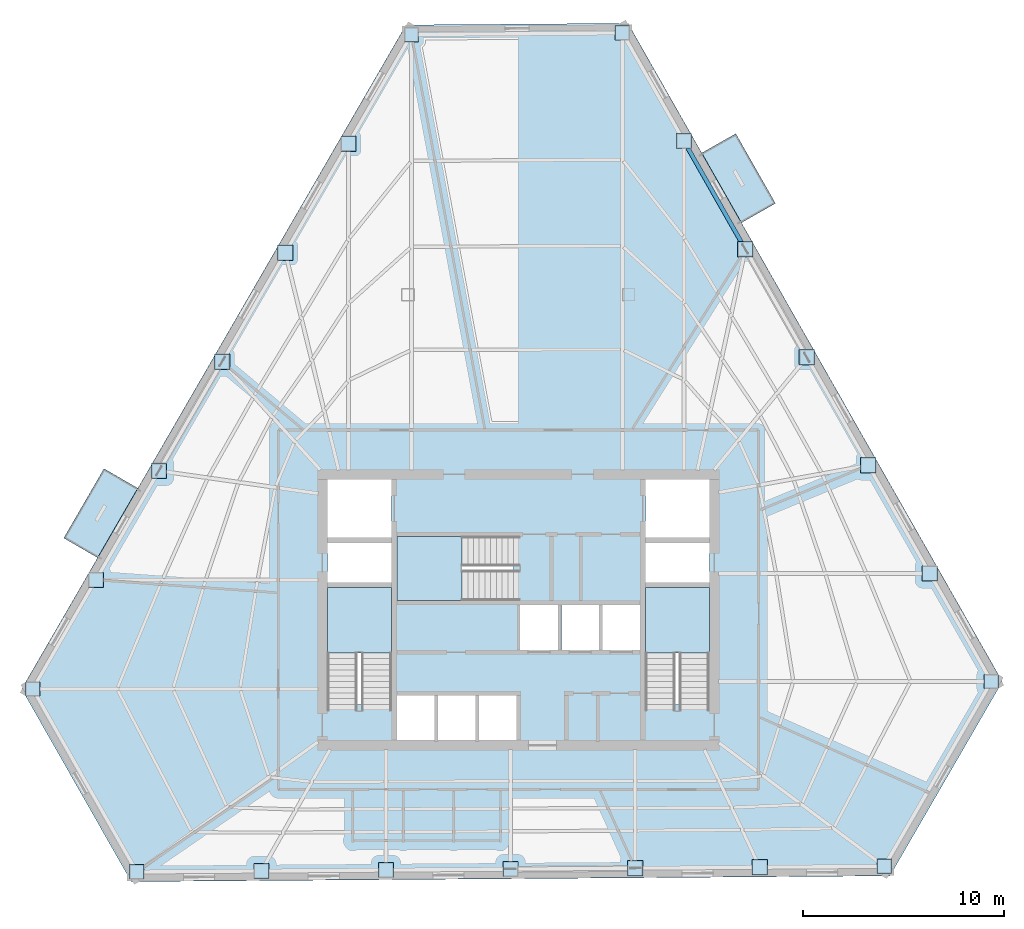
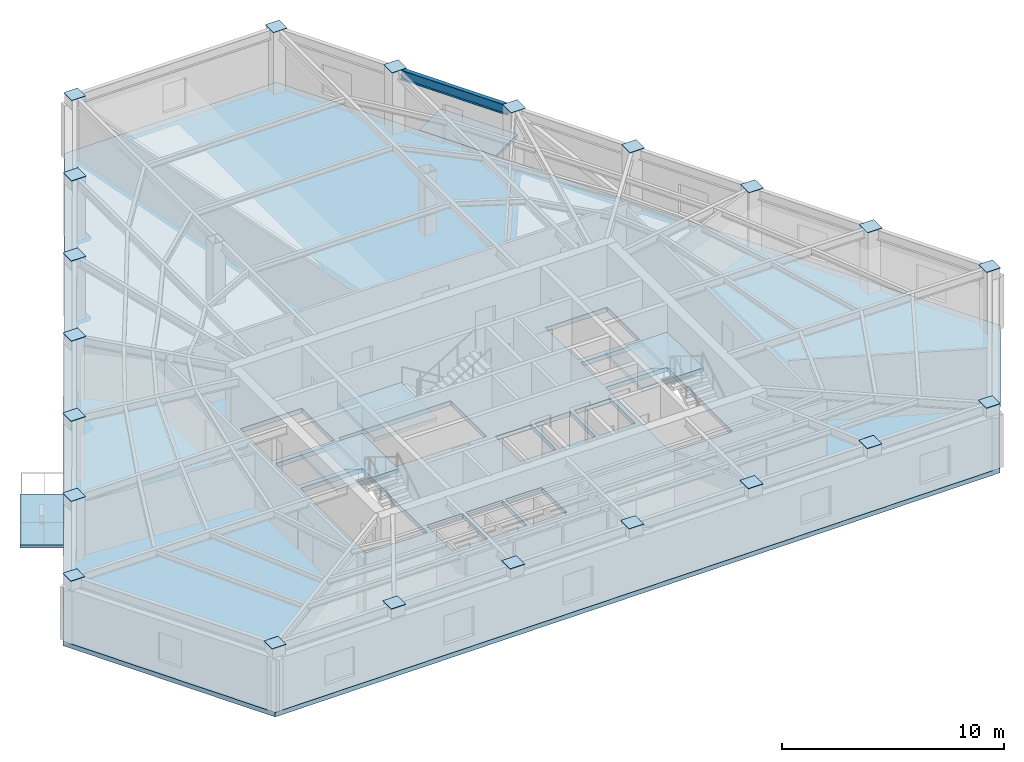
# One storey, part 3 of 10: 21 plates, 6 slabs, 1 beam, 3 elements without a shape of their own.
"""IFC4 building model written with IfcOpenShell, lengths in metres."""

from ifc_helpers import new_model, si_unit, direction, frame, origin, origin_2d, place, context, subcontext, project, spatial, polyline, rectangle, i_section, outline, extrude, material, layer, layer_set, material_profile, profile_set, type_object, element, aggregate, save


model = new_model("IFC4")

# Units and contexts
model_context = context("Model", 3, precision=1e-05, world=origin(), true_north=direction((0.0, 1.0)))
body_context = subcontext(model_context, "Body", "Model", "MODEL_VIEW")
ifc_project = project(units=[si_unit("LENGTHUNIT", "METRE"), si_unit("AREAUNIT", "SQUARE_METRE"), si_unit("VOLUMEUNIT", "CUBIC_METRE"), si_unit("PLANEANGLEUNIT", "RADIAN"), si_unit("MASSUNIT", "GRAM", prefix="KILO")], contexts=[model_context])

# Site, building, storey
site_placement = place(None, origin())
site = spatial("IfcSite", under=ifc_project, at=site_placement, CompositionType="ELEMENT")
building_placement = place(site_placement, origin())
building = spatial("IfcBuilding", under=site, at=building_placement, Name="Kavelnor Concourse Tower", CompositionType="ELEMENT")
storey_placement = place(building_placement, frame((0.0, 0.0, 150.949951171875)))
storey = spatial("IfcBuildingStorey", under=building, at=storey_placement, Name="L38", CompositionType="ELEMENT", Elevation=150.949951171875)

# Beam
ifc_material_1 = material(Name="Steel Grade 350", Category="steel")
ifc_material_profile = material_profile(ifc_material_1, i_section(OverallWidth=0.208984375, OverallDepth=0.532958984375, WebThickness=0.01025390625, FlangeThickness=0.015625, at=origin_2d()), Name="530UB92")
ifc_profile_set = profile_set([ifc_material_profile], Name="Steel Grade 350")
beam_type = type_object("IfcBeamType", Name="BM-SPANDREL-Z2", PredefinedType="SPANDREL", material=ifc_profile_set)
beam_placement = place(storey_placement, frame((49.158203125, 34.33740234375, 3.16357421875), z_axis=(-0.494368272735, 0.869252558761, 0.0), x_axis=(-0.869252558761, -0.494368272735, 0.0)))
element("IfcBeam", 1, at=beam_placement, inside=storey, type_object=beam_type, Name="L38 Perimeter Tube Spandrel Beam F2-B4", PredefinedType="SPANDREL", context=body_context, shape_type="SweptSolid", body=[
    extrude(i_section(OverallWidth=0.208984375, OverallDepth=0.532958984375, WebThickness=0.01025390625, FlangeThickness=0.015625, at=origin_2d()), origin(), (0.0, 0.0, 1.0), 5.58642578125),
])

# Plates
ifc_layer_1 = layer(ifc_material_1, 0.02490234375, Name="Steel Grade 350")
ifc_layer_set_1 = layer_set([ifc_layer_1], Name="Steel Grade 350")
plate_type = type_object("IfcPlateType", Name="PL-SPLICE-FLANGE", PredefinedType="SHEET", material=ifc_layer_set_1)
plate_1_placement = place(storey_placement, frame((32.672607421875, 44.76513671875, 3.427001953125), z_axis=(0.0, 0.0, 1.0), x_axis=(1.0, 0.0, 0.0)))
element("IfcPlate", 2, at=plate_1_placement, inside=storey, type_object=plate_type, Name="L38 Column Top Cap Plate F0-B0", PredefinedType="SHEET", context=body_context, shape_type="SweptSolid", body=[
    extrude(rectangle(XDim=0.719970703125, YDim=0.719970703125, at=origin_2d()), origin(), (0.0, 0.0, 1.0), 0.02490234375),
])
for number, where, z_axis, x_axis, name in (
    (3, (29.527099609375, 39.330078125, 3.427001953125), (0.0, 0.0, 1.0), (1.0, 0.0, 0.0), "L38 Column Top Cap Plate F0-B1"),
    (4, (26.381591796875, 33.89501953125, 3.427001953125), (0.0, 0.0, 1.0), (1.0, 0.0, 0.0), "L38 Column Top Cap Plate F0-B2"),
    (5, (23.236083984375, 28.460205078125, 3.427001953125), (0.0, 0.0, 1.0), (1.0, 0.0, 0.0), "L38 Column Top Cap Plate F0-B3"),
    (6, (20.09033203125, 23.025146484375, 3.427001953125), (0.0, 0.0, 1.0), (1.0, 0.0, 0.0), "L38 Column Top Cap Plate F0-B4"),
    (7, (16.94482421875, 17.590087890625, 3.427001953125), (0.0, 0.0, 1.0), (1.0, 0.0, 0.0), "L38 Column Top Cap Plate F0-B5"),
):
    element("IfcPlate", number, at=place(storey_placement, frame(where, z_axis=z_axis, x_axis=x_axis)), inside=storey, type_object=plate_type, Name=name, PredefinedType="SHEET", context=body_context, shape_type="SweptSolid", body=[
        extrude(rectangle(XDim=0.760009765625, YDim=0.760009765625, at=origin_2d()), origin(), (0.0, 0.0, 1.0), 0.02490234375),
    ])
for number, where, z_axis, x_axis, name in (
    (8, (13.79931640625, 12.155029296875, 3.427001953125), (0.0, 0.0, 1.0), (1.0, 0.0, 0.0), "L38 Column Top Cap Plate F0-B6"),
    (9, (18.984619140625, 3.03759765625, 3.427001953125), (0.0, 0.0, 1.0), (1.0, 0.0, 0.0), "L38 Column Top Cap Plate F1-B0"),
):
    element("IfcPlate", number, at=place(storey_placement, frame(where, z_axis=z_axis, x_axis=x_axis)), inside=storey, type_object=plate_type, Name=name, PredefinedType="SHEET", context=body_context, shape_type="SweptSolid", body=[
        extrude(rectangle(XDim=0.719970703125, YDim=0.719970703125, at=origin_2d()), origin(), (0.0, 0.0, 1.0), 0.02490234375),
    ])
for number, where, z_axis, x_axis, name in (
    (10, (25.1923828125, 3.08447265625, 3.427001953125), (0.0, 0.0, 1.0), (1.0, 0.0, 0.0), "L38 Column Top Cap Plate F1-B1"),
    (11, (31.400146484375, 3.13134765625, 3.427001953125), (0.0, 0.0, 1.0), (1.0, 0.0, 0.0), "L38 Column Top Cap Plate F1-B2"),
    (12, (37.608154296875, 3.17822265625, 3.427001953125), (0.0, 0.0, 1.0), (1.0, 0.0, 0.0), "L38 Column Top Cap Plate F1-B3"),
    (13, (43.81591796875, 3.22509765625, 3.427001953125), (0.0, 0.0, 1.0), (1.0, 0.0, 0.0), "L38 Column Top Cap Plate F1-B4"),
    (14, (50.023681640625, 3.27197265625, 3.427001953125), (0.0, 0.0, 1.0), (1.0, 0.0, 0.0), "L38 Column Top Cap Plate F1-B5"),
):
    element("IfcPlate", number, at=place(storey_placement, frame(where, z_axis=z_axis, x_axis=x_axis)), inside=storey, type_object=plate_type, Name=name, PredefinedType="SHEET", context=body_context, shape_type="SweptSolid", body=[
        extrude(rectangle(XDim=0.760009765625, YDim=0.760009765625, at=origin_2d()), origin(), (0.0, 0.0, 1.0), 0.02490234375),
    ])
for number, where, z_axis, x_axis, name in (
    (15, (56.231689453125, 3.31884765625, 3.427001953125), (0.0, 0.0, 1.0), (1.0, 0.0, 0.0), "L38 Column Top Cap Plate F1-B6"),
    (16, (61.5615234375, 12.5283203125, 3.427001953125), (0.0, 0.0, 1.0), (1.0, 0.0, 0.0), "L38 Column Top Cap Plate F2-B0"),
):
    element("IfcPlate", number, at=place(storey_placement, frame(where, z_axis=z_axis, x_axis=x_axis)), inside=storey, type_object=plate_type, Name=name, PredefinedType="SHEET", context=body_context, shape_type="SweptSolid", body=[
        extrude(rectangle(XDim=0.719970703125, YDim=0.719970703125, at=origin_2d()), origin(), (0.0, 0.0, 1.0), 0.02490234375),
    ])
for number, where, z_axis, x_axis, name in (
    (17, (58.498291015625, 17.914306640625, 3.427001953125), (0.0, 0.0, 1.0), (1.0, 0.0, 0.0), "L38 Column Top Cap Plate F2-B1"),
    (18, (55.435302734375, 23.30029296875, 3.427001953125), (0.0, 0.0, 1.0), (1.0, 0.0, 0.0), "L38 Column Top Cap Plate F2-B2"),
    (19, (52.3720703125, 28.686279296875, 3.427001953125), (0.0, 0.0, 1.0), (1.0, 0.0, 0.0), "L38 Column Top Cap Plate F2-B3"),
    (20, (49.308837890625, 34.072509765625, 3.427001953125), (0.0, 0.0, 1.0), (1.0, 0.0, 0.0), "L38 Column Top Cap Plate F2-B4"),
    (21, (46.245849609375, 39.45849609375, 3.427001953125), (0.0, 0.0, 1.0), (1.0, 0.0, 0.0), "L38 Column Top Cap Plate F2-B5"),
):
    element("IfcPlate", number, at=place(storey_placement, frame(where, z_axis=z_axis, x_axis=x_axis)), inside=storey, type_object=plate_type, Name=name, PredefinedType="SHEET", context=body_context, shape_type="SweptSolid", body=[
        extrude(rectangle(XDim=0.760009765625, YDim=0.760009765625, at=origin_2d()), origin(), (0.0, 0.0, 1.0), 0.02490234375),
    ])
plate_2_placement = place(storey_placement, frame((43.1826171875, 44.844482421875, 3.427001953125), z_axis=(0.0, 0.0, 1.0), x_axis=(1.0, 0.0, 0.0)))
element("IfcPlate", 22, at=plate_2_placement, inside=storey, type_object=plate_type, Name="L38 Column Top Cap Plate F2-B6", PredefinedType="SHEET", context=body_context, shape_type="SweptSolid", body=[
    extrude(rectangle(XDim=0.719970703125, YDim=0.719970703125, at=origin_2d()), origin(), (0.0, 0.0, 1.0), 0.02490234375),
])

# Slabs
ifc_material_2 = material(Name="Concrete C40/50", Category="concrete")
ifc_layer_2 = layer(ifc_material_2, 0.169921875, Name="Concrete C40/50")
ifc_layer_set_2 = layer_set([ifc_layer_2], Name="Concrete C40/50")
slab_type_1 = type_object("IfcSlabType", Name="SLB-BALCONY-170", PredefinedType="FLOOR", material=ifc_layer_set_2)
slab_1_placement = place(storey_placement, frame((0.0, 0.0, -0.169921875)))
element("IfcSlab", 23, at=slab_1_placement, inside=storey, type_object=slab_type_1, Name="L38 Cantilevered Tree Balcony Slab 1", PredefinedType="FLOOR", context=body_context, shape_type="SweptSolid", body=[
    extrude(outline(polyline([(48.83056640625, 39.8291015625), (50.80810546875, 36.35205078125), (49.11279296875, 35.387939453125), (47.135498046875, 38.864990234375), (48.83056640625, 39.8291015625)])), origin(), (0.0, 0.0, 1.0), 0.169921875),
])
slab_2_placement = place(storey_placement, frame((0.0, 0.0, -0.169921875)))
element("IfcSlab", 24, at=slab_2_placement, inside=storey, type_object=slab_type_1, Name="L38 Cantilevered Tree Balcony Slab 2", PredefinedType="FLOOR", context=body_context, shape_type="SweptSolid", body=[
    extrude(outline(polyline([(15.343505859375, 19.67431640625), (17.34716796875, 23.136474609375), (19.034912109375, 22.15966796875), (17.03125, 18.697509765625), (15.343505859375, 19.67431640625)])), origin(), (0.0, 0.0, 1.0), 0.169921875),
])

# Stair, slab
stair_type = type_object("IfcStairType", Name="STR-CORE-1500", PredefinedType="HALF_TURN_STAIR", material=ifc_material_2)
stair_1_placement = place(storey_placement, origin())
stair_1 = element("IfcStair", 25, at=stair_1_placement, inside=storey, type_object=stair_type, Name="L38 ST1", PredefinedType="HALF_TURN_STAIR")
ifc_layer_3 = layer(ifc_material_2, 0.199951171875, Name="Concrete C40/50")
ifc_layer_set_3 = layer_set([ifc_layer_3], Name="Concrete C40/50")
slab_type_2 = type_object("IfcSlabType", Name="SLB-LANDING-200", PredefinedType="LANDING", material=ifc_layer_set_3)
slab_3_placement = place(storey_placement, frame((0.0, 0.0, 1.72509765625)))
slab_3 = element("IfcSlab", 26, at=slab_3_placement, type_object=slab_type_2, Name="ST1 landing 1", PredefinedType="LANDING", context=body_context, shape_type="SweptSolid", body=[
    extrude(outline(polyline([(31.679931640625, 13.949951171875), (31.679931640625, 17.199951171875), (28.47998046875, 17.199951171875), (28.47998046875, 13.949951171875), (31.679931640625, 13.949951171875)])), origin(), (0.0, 0.0, 1.0), 0.199951171875),
])
aggregate(stair_1, [slab_3])

stair_2_placement = place(storey_placement, origin())
stair_2 = element("IfcStair", 27, at=stair_2_placement, inside=storey, type_object=stair_type, Name="L38 ST2", PredefinedType="HALF_TURN_STAIR")
slab_4_placement = place(storey_placement, frame((0.0, 0.0, 1.72509765625)))
slab_4 = element("IfcSlab", 28, at=slab_4_placement, type_object=slab_type_2, Name="ST2 landing 1", PredefinedType="LANDING", context=body_context, shape_type="SweptSolid", body=[
    extrude(outline(polyline([(47.52001953125, 13.949951171875), (47.52001953125, 17.199951171875), (44.320068359375, 17.199951171875), (44.320068359375, 13.949951171875), (47.52001953125, 13.949951171875)])), origin(), (0.0, 0.0, 1.0), 0.199951171875),
])
aggregate(stair_2, [slab_4])

stair_3_placement = place(storey_placement, origin())
stair_3 = element("IfcStair", 29, at=stair_3_placement, inside=storey, type_object=stair_type, Name="L38 ST3", PredefinedType="HALF_TURN_STAIR")
slab_5_placement = place(storey_placement, frame((0.0, 0.0, 1.72509765625)))
slab_5 = element("IfcSlab", 30, at=slab_5_placement, type_object=slab_type_2, Name="ST3 landing 1", PredefinedType="LANDING", context=body_context, shape_type="SweptSolid", body=[
    extrude(outline(polyline([(35.18994140625, 19.760009765625), (31.93994140625, 19.760009765625), (31.93994140625, 16.56005859375), (35.18994140625, 16.56005859375), (35.18994140625, 19.760009765625)])), origin(), (0.0, 0.0, 1.0), 0.199951171875),
])
aggregate(stair_3, [slab_5])

# Slab
ifc_layer_4 = layer(ifc_material_2, 0.25, Name="Concrete C40/50")
ifc_layer_set_4 = layer_set([ifc_layer_4], Name="Concrete C40/50")
slab_type_3 = type_object("IfcSlabType", Name="SLB-OFFICE-250", PredefinedType="FLOOR", material=ifc_layer_set_4)
slab_6_placement = place(storey_placement, frame((0.0, 0.0, -0.25)))
element("IfcSlab", 31, at=slab_6_placement, inside=storey, type_object=slab_type_3, Name="L38 Composite Structural Floor Slab", PredefinedType="FLOOR", context=body_context, shape_type="SweptSolid", body=[
    extrude(outline(polyline([(43.460693359375, 45.32666015625), (32.394775390625, 45.2431640625), (13.245849609375, 12.156982421875), (18.70654296875, 2.555419921875), (56.509765625, 2.8408203125), (62.114990234375, 12.526123046875), (43.460693359375, 45.32666015625)]), holes=[polyline([(28.47998046875, 11.3798828125), (31.679931640625, 11.3798828125), (31.679931640625, 17.199951171875), (28.47998046875, 17.199951171875), (28.47998046875, 11.3798828125)]), polyline([(44.320068359375, 11.3798828125), (47.52001953125, 11.3798828125), (47.52001953125, 17.199951171875), (44.320068359375, 17.199951171875), (44.320068359375, 11.3798828125)]), polyline([(31.93994140625, 16.56005859375), (37.760009765625, 16.56005859375), (37.760009765625, 19.760009765625), (31.93994140625, 19.760009765625), (31.93994140625, 16.56005859375)]), polyline([(28.47998046875, 19.699951171875), (31.679931640625, 19.699951171875), (31.679931640625, 22.60009765625), (28.47998046875, 22.60009765625), (28.47998046875, 19.699951171875)]), polyline([(44.320068359375, 19.699951171875), (47.52001953125, 19.699951171875), (47.52001953125, 22.60009765625), (44.320068359375, 22.60009765625), (44.320068359375, 19.699951171875)]), polyline([(38.090087890625, 14.10009765625), (39.9599609375, 14.10009765625), (39.9599609375, 16.340087890625), (38.090087890625, 16.340087890625), (38.090087890625, 14.10009765625)]), polyline([(40.139892578125, 14.10009765625), (42.010009765625, 14.10009765625), (42.010009765625, 16.340087890625), (40.139892578125, 16.340087890625), (40.139892578125, 14.10009765625)]), polyline([(42.18994140625, 14.10009765625), (44.06005859375, 14.10009765625), (44.06005859375, 16.340087890625), (42.18994140625, 16.340087890625), (42.18994140625, 14.10009765625)]), polyline([(31.93994140625, 9.60009765625), (33.81005859375, 9.60009765625), (33.81005859375, 11.840087890625), (31.93994140625, 11.840087890625), (31.93994140625, 9.60009765625)]), polyline([(33.989990234375, 9.60009765625), (35.860107421875, 9.60009765625), (35.860107421875, 11.840087890625), (33.989990234375, 11.840087890625), (33.989990234375, 9.60009765625)]), polyline([(36.0400390625, 9.60009765625), (37.909912109375, 9.60009765625), (37.909912109375, 11.840087890625), (36.0400390625, 11.840087890625), (36.0400390625, 9.60009765625)]), polyline([(28.47998046875, 17.4599609375), (31.679931640625, 17.4599609375), (31.679931640625, 19.43994140625), (28.47998046875, 19.43994140625), (28.47998046875, 17.4599609375)]), polyline([(44.320068359375, 17.4599609375), (47.52001953125, 17.4599609375), (47.52001953125, 19.43994140625), (44.320068359375, 19.43994140625), (44.320068359375, 17.4599609375)])]), origin(), (0.0, 0.0, 1.0), 0.25),
])

save(model, "model.ifc")
